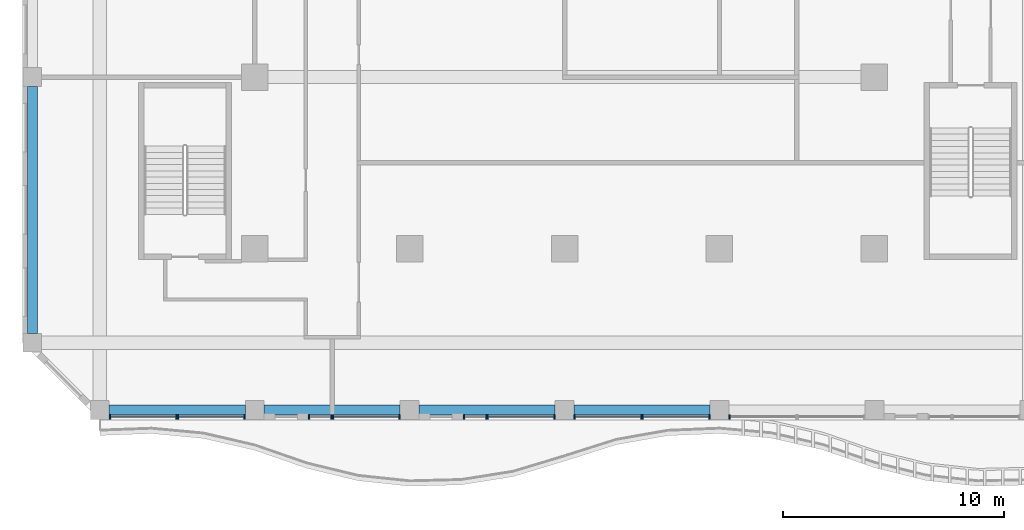
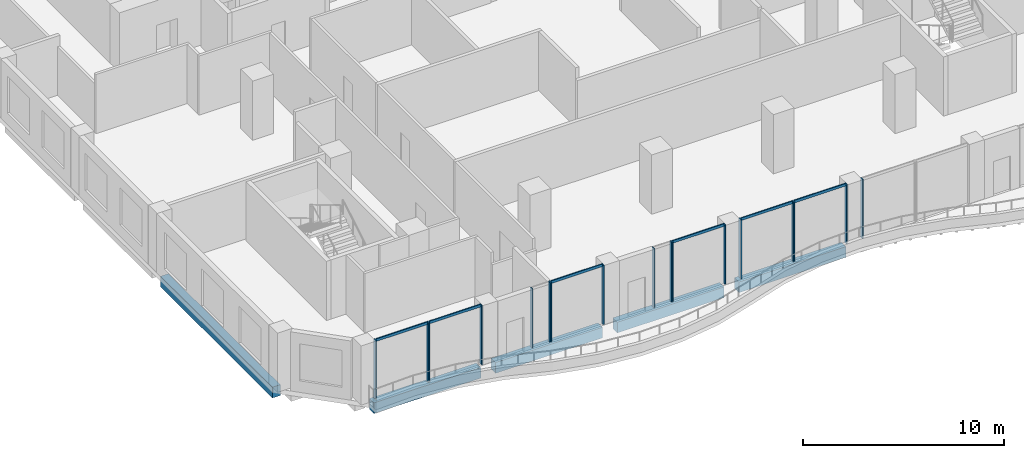
# One storey, part 2 of 19: 23 members, 5 beams, 9 elements without a shape of their own.
"""IFC4 building model written with IfcOpenShell, lengths in metres."""

from ifc_helpers import new_model, si_unit, direction, frame, origin, origin_2d, place, context, subcontext, project, spatial, rectangle, extrude, source, transform, mapped, material, material_profile, profile_set, type_object, element, aggregate, save


model = new_model("IFC4")

# Units and contexts
model_context = context("Model", 3, precision=1e-05, world=origin(), true_north=direction((0.0, 1.0)))
body_context = subcontext(model_context, "Body", "Model", "MODEL_VIEW")
ifc_project = project(units=[si_unit("LENGTHUNIT", "METRE"), si_unit("AREAUNIT", "SQUARE_METRE"), si_unit("VOLUMEUNIT", "CUBIC_METRE"), si_unit("PLANEANGLEUNIT", "RADIAN"), si_unit("MASSUNIT", "GRAM", prefix="KILO")], contexts=[model_context])

# Site, building, storey
site_placement = place(None, origin())
site = spatial("IfcSite", under=ifc_project, at=site_placement, CompositionType="ELEMENT")
building_placement = place(site_placement, origin())
building = spatial("IfcBuilding", under=site, at=building_placement, Name="Kilnfold Tower and Market Hall", CompositionType="ELEMENT")
storey_placement = place(building_placement, frame((0.0, 0.0, 124.60009765625)))
storey = spatial("IfcBuildingStorey", under=building, at=storey_placement, Name="L29", CompositionType="ELEMENT", Elevation=124.60009765625)

# Beams
ifc_material_1 = material(Name="Concrete C45", Category="concrete")
ifc_material_profile_1 = material_profile(ifc_material_1, rectangle(XDim=0.449951171875, YDim=0.64990234375, at=origin_2d()), Name="RC 450x650")
ifc_profile_set_1 = profile_set([ifc_material_profile_1], Name="Concrete C45")
beam_type = type_object("IfcBeamType", Name="EDGE BEAM 450X650 C45", PredefinedType="BEAM", material=ifc_profile_set_1)
shared_shape_1 = source(origin(), body_context, "Body", "SweptSolid", [
    extrude(rectangle(XDim=0.449951171875, YDim=0.64990234375, at=origin_2d()), origin(), (0.0, 0.0, 1.0), 6.14990234375),
])
for number, where, z_axis, x_axis, name in (
    (1, (-19.074951171875, -22.550048828125, -0.60498046875), (1.0, 0.0, 0.0), (0.0, 1.0, 0.0), "Beam EB650-B3.52"),
    (2, (-12.074951171875, -22.550048828125, -0.60498046875), (1.0, 0.0, 0.0), (0.0, 1.0, 0.0), "Beam EB650-B3.53"),
    (3, (-5.074951171875, -22.550048828125, -0.60498046875), (1.0, 0.0, 0.0), (0.0, 1.0, 0.0), "Beam EB650-B3.54"),
    (4, (1.925048828125, -22.550048828125, -0.60498046875), (1.0, 0.0, 0.0), (0.0, 1.0, 0.0), "Beam EB650-B3.55"),
):
    element("IfcBeam", number, at=place(storey_placement, frame(where, z_axis=z_axis, x_axis=x_axis)), inside=storey, type_object=beam_type, Name=name, PredefinedType="BEAM", context=body_context, shape_type="MappedRepresentation", body=[
        mapped(shared_shape_1, transform((0.0, 0.0, 0.0))),
    ])
shared_shape_2 = source(origin(), body_context, "Body", "SweptSolid", [
    extrude(rectangle(XDim=0.449951171875, YDim=0.64990234375, at=origin_2d()), origin(), (0.0, 0.0, 1.0), 11.14990234375),
])
beam_placement = place(storey_placement, frame((-22.550048828125, -19.074951171875, -0.60498046875), z_axis=(0.0, 1.0, 0.0), x_axis=(-1.0, 0.0, 0.0)))
element("IfcBeam", 5, at=beam_placement, inside=storey, type_object=beam_type, Name="Beam EB650-B3.74", PredefinedType="BEAM", context=body_context, shape_type="MappedRepresentation", body=[
    mapped(shared_shape_2, transform((0.0, 0.0, 0.0))),
])

# Curtain wall, member
ifc_material_2 = material(Name="Aluminium and double glazing", Category="aluminium")
curtain_wall_type = type_object("IfcCurtainWallType", Name="CW OF2 VALLEY GLAZING", PredefinedType="NOTDEFINED", material=ifc_material_2)
curtain_wall_1_placement = place(storey_placement, origin())
curtain_wall_1 = element("IfcCurtainWall", 6, at=curtain_wall_1_placement, inside=storey, type_object=curtain_wall_type, Name="Curtain wall CW2 L29 S", PredefinedType="NOTDEFINED")
ifc_material_3 = material(Name="Aluminium", Category="aluminium")
ifc_material_profile_2 = material_profile(ifc_material_3, rectangle(XDim=0.06005859375, YDim=0.159912109375, at=origin_2d()), Name="TRANSOM 60x160")
ifc_profile_set_2 = profile_set([ifc_material_profile_2], Name="Aluminium")
member_type_1 = type_object("IfcMemberType", Name="TRANSOM 60X160", PredefinedType="USERDEFINED", material=ifc_profile_set_2)
shared_shape_3 = source(origin(), body_context, "Body", "SweptSolid", [
    extrude(rectangle(XDim=0.06005859375, YDim=0.159912109375, at=origin_2d()), origin(), (0.0, 0.0, 1.0), 2.954833984375),
])
member_1_placement = place(storey_placement, frame((-19.014892578125, -22.85009765625, 3.56982421875), z_axis=(1.0, 0.0, 0.0), x_axis=(0.0, 1.0, 0.0)))
member_1 = element("IfcMember", 7, at=member_1_placement, type_object=member_type_1, Name="CW2 transom 1.2", ObjectType="TRANSOM", PredefinedType="USERDEFINED", context=body_context, shape_type="MappedRepresentation", body=[
    mapped(shared_shape_3, transform((0.0, 0.0, 0.0))),
])

curtain_wall_2_placement = place(storey_placement, origin())
curtain_wall_2 = element("IfcCurtainWall", 8, at=curtain_wall_2_placement, inside=storey, type_object=curtain_wall_type, Name="Curtain wall CW2 L29 S", PredefinedType="NOTDEFINED")
member_2_placement = place(storey_placement, frame((-15.93994140625, -22.85009765625, 3.56982421875), z_axis=(1.0, 0.0, 0.0), x_axis=(0.0, 1.0, 0.0)))
member_2 = element("IfcMember", 9, at=member_2_placement, type_object=member_type_1, Name="CW2 transom 1.2", ObjectType="TRANSOM", PredefinedType="USERDEFINED", context=body_context, shape_type="MappedRepresentation", body=[
    mapped(shared_shape_3, transform((0.0, 0.0, 0.0))),
])

curtain_wall_3_placement = place(storey_placement, origin())
curtain_wall_3 = element("IfcCurtainWall", 10, at=curtain_wall_3_placement, inside=storey, type_object=curtain_wall_type, Name="Curtain wall CW2 L29 S", PredefinedType="NOTDEFINED")
member_3_placement = place(storey_placement, frame((-8.93994140625, -22.85009765625, 3.56982421875), z_axis=(1.0, 0.0, 0.0), x_axis=(0.0, 1.0, 0.0)))
member_3 = element("IfcMember", 11, at=member_3_placement, type_object=member_type_1, Name="CW2 transom 1.2", ObjectType="TRANSOM", PredefinedType="USERDEFINED", context=body_context, shape_type="MappedRepresentation", body=[
    mapped(shared_shape_3, transform((0.0, 0.0, 0.0))),
])

curtain_wall_4_placement = place(storey_placement, origin())
curtain_wall_4 = element("IfcCurtainWall", 12, at=curtain_wall_4_placement, inside=storey, type_object=curtain_wall_type, Name="Curtain wall CW2 L29 S", PredefinedType="NOTDEFINED")
member_4_placement = place(storey_placement, frame((-1.93994140625, -22.85009765625, 3.56982421875), z_axis=(1.0, 0.0, 0.0), x_axis=(0.0, 1.0, 0.0)))
member_4 = element("IfcMember", 13, at=member_4_placement, type_object=member_type_1, Name="CW2 transom 1.2", ObjectType="TRANSOM", PredefinedType="USERDEFINED", context=body_context, shape_type="MappedRepresentation", body=[
    mapped(shared_shape_3, transform((0.0, 0.0, 0.0))),
])

curtain_wall_5_placement = place(storey_placement, origin())
curtain_wall_5 = element("IfcCurtainWall", 14, at=curtain_wall_5_placement, inside=storey, type_object=curtain_wall_type, Name="Curtain wall CW2 L29 S", PredefinedType="NOTDEFINED")
member_5_placement = place(storey_placement, frame((1.985107421875, -22.85009765625, 3.56982421875), z_axis=(1.0, 0.0, 0.0), x_axis=(0.0, 1.0, 0.0)))
member_5 = element("IfcMember", 15, at=member_5_placement, type_object=member_type_1, Name="CW2 transom 1.2", ObjectType="TRANSOM", PredefinedType="USERDEFINED", context=body_context, shape_type="MappedRepresentation", body=[
    mapped(shared_shape_3, transform((0.0, 0.0, 0.0))),
])

curtain_wall_6_placement = place(storey_placement, origin())
curtain_wall_6 = element("IfcCurtainWall", 16, at=curtain_wall_6_placement, inside=storey, type_object=curtain_wall_type, Name="Curtain wall CW2 L29 S", PredefinedType="NOTDEFINED")
member_6_placement = place(storey_placement, frame((5.06005859375, -22.85009765625, 3.56982421875), z_axis=(1.0, 0.0, 0.0), x_axis=(0.0, 1.0, 0.0)))
member_6 = element("IfcMember", 17, at=member_6_placement, type_object=member_type_1, Name="CW2 transom 1.2", ObjectType="TRANSOM", PredefinedType="USERDEFINED", context=body_context, shape_type="MappedRepresentation", body=[
    mapped(shared_shape_3, transform((0.0, 0.0, 0.0))),
])

# Member
ifc_material_4 = material(Name="Aluminium", Category="aluminium")
ifc_material_profile_3 = material_profile(ifc_material_4, rectangle(XDim=0.06005859375, YDim=0.199951171875, at=origin_2d()), Name="MULLION 60x200")
ifc_profile_set_3 = profile_set([ifc_material_profile_3], Name="Aluminium")
member_type_2 = type_object("IfcMemberType", Name="MULLION 60X200", PredefinedType="MULLION", material=ifc_profile_set_3)
shared_shape_4 = source(origin(), body_context, "Body", "SweptSolid", [
    extrude(rectangle(XDim=0.06005859375, YDim=0.199951171875, at=origin_2d()), origin(), (0.0, 0.0, 1.0), 3.599853515625),
])
member_7_placement = place(storey_placement, frame((-19.044921875, -22.85009765625, 0.0), z_axis=(0.0, 0.0, 1.0), x_axis=(1.0, 0.0, 0.0)))
member_7 = element("IfcMember", 18, at=member_7_placement, type_object=member_type_2, Name="CW2 mullion 1", PredefinedType="MULLION", context=body_context, shape_type="MappedRepresentation", body=[
    mapped(shared_shape_4, transform((0.0, 0.0, 0.0))),
])

member_8_placement = place(storey_placement, frame((-16.030029296875, -22.85009765625, 0.0), z_axis=(0.0, 0.0, 1.0), x_axis=(1.0, 0.0, 0.0)))
member_8 = element("IfcMember", 19, at=member_8_placement, type_object=member_type_2, Name="CW2 mullion 2", PredefinedType="MULLION", context=body_context, shape_type="MappedRepresentation", body=[
    mapped(shared_shape_4, transform((0.0, 0.0, 0.0))),
])

aggregate(curtain_wall_1, [member_7, member_8, member_1])

member_9_placement = place(storey_placement, frame((-15.969970703125, -22.85009765625, 0.0), z_axis=(0.0, 0.0, 1.0), x_axis=(1.0, 0.0, 0.0)))
member_9 = element("IfcMember", 20, at=member_9_placement, type_object=member_type_2, Name="CW2 mullion 1", PredefinedType="MULLION", context=body_context, shape_type="MappedRepresentation", body=[
    mapped(shared_shape_4, transform((0.0, 0.0, 0.0))),
])

member_10_placement = place(storey_placement, frame((-12.955078125, -22.85009765625, 0.0), z_axis=(0.0, 0.0, 1.0), x_axis=(1.0, 0.0, 0.0)))
member_10 = element("IfcMember", 21, at=member_10_placement, type_object=member_type_2, Name="CW2 mullion 2", PredefinedType="MULLION", context=body_context, shape_type="MappedRepresentation", body=[
    mapped(shared_shape_4, transform((0.0, 0.0, 0.0))),
])

aggregate(curtain_wall_2, [member_9, member_10, member_2])

# Curtain wall, members
curtain_wall_7_placement = place(storey_placement, origin())
curtain_wall_7 = element("IfcCurtainWall", 22, at=curtain_wall_7_placement, inside=storey, type_object=curtain_wall_type, Name="Curtain wall CW2 L29 S", PredefinedType="NOTDEFINED")
member_11_placement = place(storey_placement, frame((-10.044921875, -22.85009765625, 0.0), z_axis=(0.0, 0.0, 1.0), x_axis=(1.0, 0.0, 0.0)))
member_11 = element("IfcMember", 23, at=member_11_placement, type_object=member_type_2, Name="CW2 mullion 1", PredefinedType="MULLION", context=body_context, shape_type="MappedRepresentation", body=[
    mapped(shared_shape_4, transform((0.0, 0.0, 0.0))),
])
member_12_placement = place(storey_placement, frame((-9.030029296875, -22.85009765625, 0.0), z_axis=(0.0, 0.0, 1.0), x_axis=(1.0, 0.0, 0.0)))
member_12 = element("IfcMember", 24, at=member_12_placement, type_object=member_type_2, Name="CW2 mullion 2", PredefinedType="MULLION", context=body_context, shape_type="MappedRepresentation", body=[
    mapped(shared_shape_4, transform((0.0, 0.0, 0.0))),
])
aggregate(curtain_wall_7, [member_11, member_12])

# Member
member_13_placement = place(storey_placement, frame((-8.969970703125, -22.85009765625, 0.0), z_axis=(0.0, 0.0, 1.0), x_axis=(1.0, 0.0, 0.0)))
member_13 = element("IfcMember", 25, at=member_13_placement, type_object=member_type_2, Name="CW2 mullion 1", PredefinedType="MULLION", context=body_context, shape_type="MappedRepresentation", body=[
    mapped(shared_shape_4, transform((0.0, 0.0, 0.0))),
])

member_14_placement = place(storey_placement, frame((-5.955078125, -22.85009765625, 0.0), z_axis=(0.0, 0.0, 1.0), x_axis=(1.0, 0.0, 0.0)))
member_14 = element("IfcMember", 26, at=member_14_placement, type_object=member_type_2, Name="CW2 mullion 2", PredefinedType="MULLION", context=body_context, shape_type="MappedRepresentation", body=[
    mapped(shared_shape_4, transform((0.0, 0.0, 0.0))),
])

aggregate(curtain_wall_3, [member_13, member_14, member_3])

# Curtain wall, members
curtain_wall_8_placement = place(storey_placement, origin())
curtain_wall_8 = element("IfcCurtainWall", 27, at=curtain_wall_8_placement, inside=storey, type_object=curtain_wall_type, Name="Curtain wall CW2 L29 S", PredefinedType="NOTDEFINED")
member_15_placement = place(storey_placement, frame((-3.044921875, -22.85009765625, 0.0), z_axis=(0.0, 0.0, 1.0), x_axis=(1.0, 0.0, 0.0)))
member_15 = element("IfcMember", 28, at=member_15_placement, type_object=member_type_2, Name="CW2 mullion 1", PredefinedType="MULLION", context=body_context, shape_type="MappedRepresentation", body=[
    mapped(shared_shape_4, transform((0.0, 0.0, 0.0))),
])
member_16_placement = place(storey_placement, frame((-2.030029296875, -22.85009765625, 0.0), z_axis=(0.0, 0.0, 1.0), x_axis=(1.0, 0.0, 0.0)))
member_16 = element("IfcMember", 29, at=member_16_placement, type_object=member_type_2, Name="CW2 mullion 2", PredefinedType="MULLION", context=body_context, shape_type="MappedRepresentation", body=[
    mapped(shared_shape_4, transform((0.0, 0.0, 0.0))),
])
aggregate(curtain_wall_8, [member_15, member_16])

# Member
member_17_placement = place(storey_placement, frame((-1.969970703125, -22.85009765625, 0.0), z_axis=(0.0, 0.0, 1.0), x_axis=(1.0, 0.0, 0.0)))
member_17 = element("IfcMember", 30, at=member_17_placement, type_object=member_type_2, Name="CW2 mullion 1", PredefinedType="MULLION", context=body_context, shape_type="MappedRepresentation", body=[
    mapped(shared_shape_4, transform((0.0, 0.0, 0.0))),
])

member_18_placement = place(storey_placement, frame((1.044921875, -22.85009765625, 0.0), z_axis=(0.0, 0.0, 1.0), x_axis=(1.0, 0.0, 0.0)))
member_18 = element("IfcMember", 31, at=member_18_placement, type_object=member_type_2, Name="CW2 mullion 2", PredefinedType="MULLION", context=body_context, shape_type="MappedRepresentation", body=[
    mapped(shared_shape_4, transform((0.0, 0.0, 0.0))),
])

aggregate(curtain_wall_4, [member_17, member_18, member_4])

member_19_placement = place(storey_placement, frame((1.955078125, -22.85009765625, 0.0), z_axis=(0.0, 0.0, 1.0), x_axis=(1.0, 0.0, 0.0)))
member_19 = element("IfcMember", 32, at=member_19_placement, type_object=member_type_2, Name="CW2 mullion 1", PredefinedType="MULLION", context=body_context, shape_type="MappedRepresentation", body=[
    mapped(shared_shape_4, transform((0.0, 0.0, 0.0))),
])

member_20_placement = place(storey_placement, frame((4.969970703125, -22.85009765625, 0.0), z_axis=(0.0, 0.0, 1.0), x_axis=(1.0, 0.0, 0.0)))
member_20 = element("IfcMember", 33, at=member_20_placement, type_object=member_type_2, Name="CW2 mullion 2", PredefinedType="MULLION", context=body_context, shape_type="MappedRepresentation", body=[
    mapped(shared_shape_4, transform((0.0, 0.0, 0.0))),
])

aggregate(curtain_wall_5, [member_19, member_20, member_5])

member_21_placement = place(storey_placement, frame((5.030029296875, -22.85009765625, 0.0), z_axis=(0.0, 0.0, 1.0), x_axis=(1.0, 0.0, 0.0)))
member_21 = element("IfcMember", 34, at=member_21_placement, type_object=member_type_2, Name="CW2 mullion 1", PredefinedType="MULLION", context=body_context, shape_type="MappedRepresentation", body=[
    mapped(shared_shape_4, transform((0.0, 0.0, 0.0))),
])

member_22_placement = place(storey_placement, frame((8.044921875, -22.85009765625, 0.0), z_axis=(0.0, 0.0, 1.0), x_axis=(1.0, 0.0, 0.0)))
member_22 = element("IfcMember", 35, at=member_22_placement, type_object=member_type_2, Name="CW2 mullion 2", PredefinedType="MULLION", context=body_context, shape_type="MappedRepresentation", body=[
    mapped(shared_shape_4, transform((0.0, 0.0, 0.0))),
])

aggregate(curtain_wall_6, [member_21, member_22, member_6])

# Curtain wall, member
curtain_wall_9_placement = place(storey_placement, origin())
curtain_wall_9 = element("IfcCurtainWall", 36, at=curtain_wall_9_placement, inside=storey, type_object=curtain_wall_type, Name="Curtain wall CW2 L29 S", PredefinedType="NOTDEFINED")
member_23_placement = place(storey_placement, frame((8.955078125, -22.85009765625, 0.0), z_axis=(0.0, 0.0, 1.0), x_axis=(1.0, 0.0, 0.0)))
member_23 = element("IfcMember", 37, at=member_23_placement, type_object=member_type_2, Name="CW2 mullion 1", PredefinedType="MULLION", context=body_context, shape_type="MappedRepresentation", body=[
    mapped(shared_shape_4, transform((0.0, 0.0, 0.0))),
])
aggregate(curtain_wall_9, [member_23])

save(model, "model.ifc")
